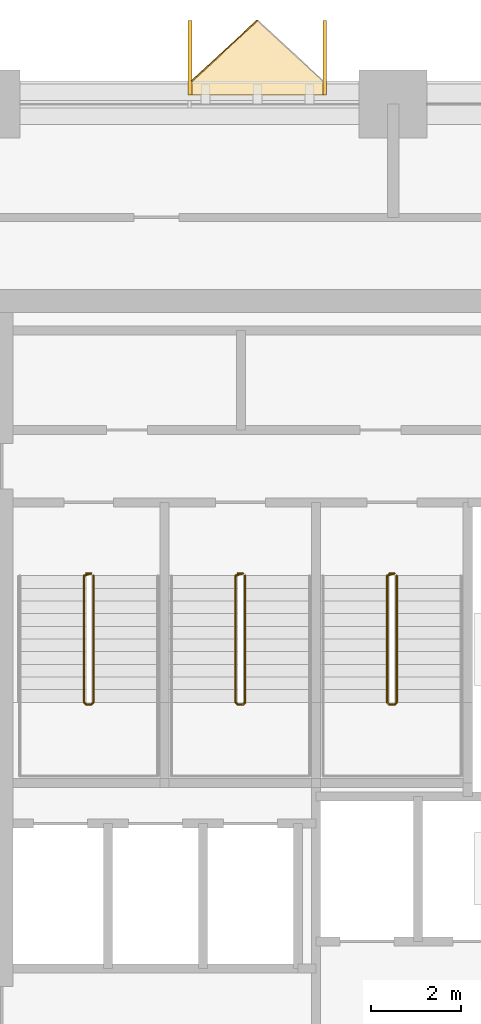
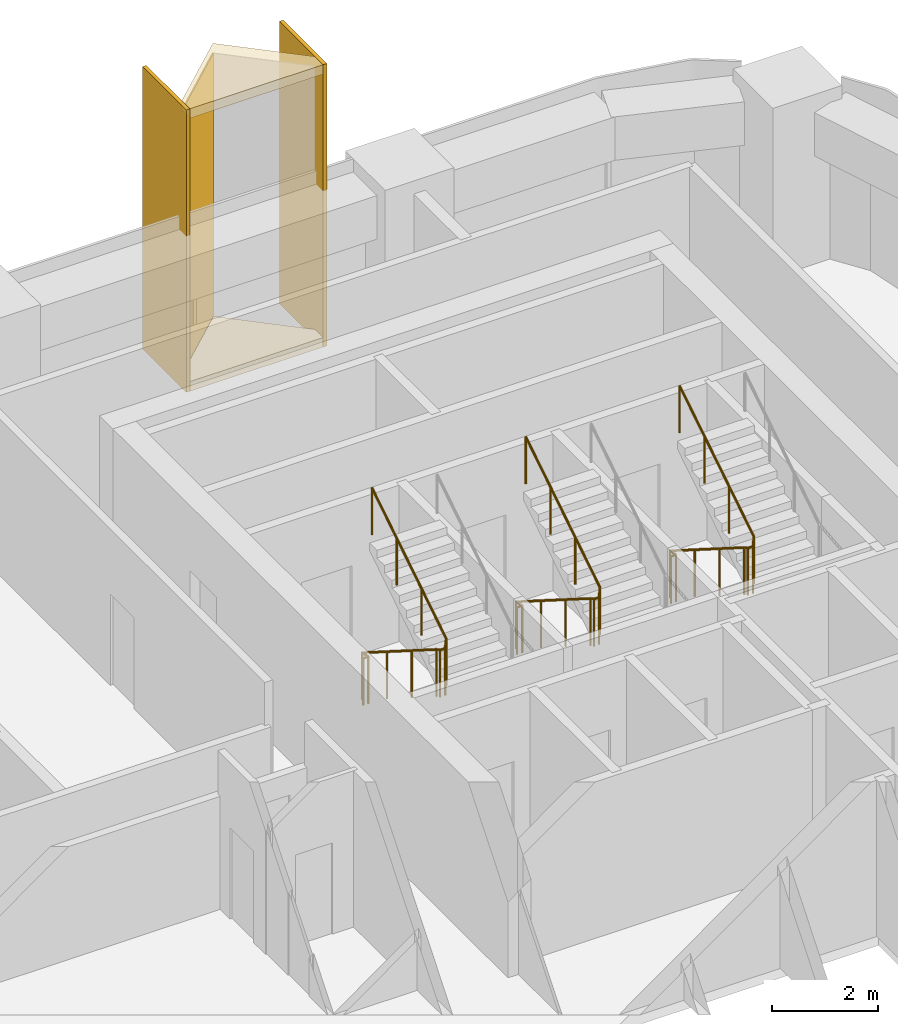
# One storey, part 14 of 14: 5 coverings, 3 railings.
"""IFC4 building model written with IfcOpenShell, lengths in metres."""

from ifc_helpers import new_model, si_unit, direction, frame, origin, origin_2d, place, context, subcontext, project, spatial, polyline, rectangle, circle, outline, extrude, material, layer, layer_set, type_object, element, save


model = new_model("IFC4")

# Units and contexts
model_context = context("Model", 3, precision=1e-05, world=origin(), true_north=direction((0.0, 1.0)))
body_context = subcontext(model_context, "Body", "Model", "MODEL_VIEW")
ifc_project = project(units=[si_unit("LENGTHUNIT", "METRE"), si_unit("AREAUNIT", "SQUARE_METRE"), si_unit("VOLUMEUNIT", "CUBIC_METRE"), si_unit("PLANEANGLEUNIT", "RADIAN"), si_unit("MASSUNIT", "GRAM", prefix="KILO")], contexts=[model_context])

# Site, building, storey
site_placement = place(None, origin())
site = spatial("IfcSite", under=ifc_project, at=site_placement, CompositionType="ELEMENT")
building_placement = place(site_placement, origin())
building = spatial("IfcBuilding", under=site, at=building_placement, Name="Tessera Arch", CompositionType="ELEMENT")
storey_placement = place(building_placement, frame((0.0, 0.0, 142.699951171875)))
storey = spatial("IfcBuildingStorey", under=building, at=storey_placement, Name="L33", CompositionType="ELEMENT", Elevation=142.699951171875)

# Railings
ifc_material_1 = material(Name="Painted steel balustrade", Category="steel")
railing_type = type_object("IfcRailingType", Name="Stair guard 1100", PredefinedType="GUARDRAIL", material=ifc_material_1)
railing_1_placement = place(storey_placement, frame((38.219970703125, 43.6298828125, 0.0)))
element("IfcRailing", 1, at=railing_1_placement, inside=storey, type_object=railing_type, Name="L33 S1a stair guard 1", PredefinedType="GUARDRAIL", context=body_context, shape_type="SweptSolid", body=[
    extrude(circle(Radius=0.02392578125, at=origin_2d()), frame((-0.00390625, 0.0, 1.076171875), z_axis=(1.0, 0.0, 0.0), x_axis=(0.0, 1.0, 0.0)), (0.0, 0.0, 1.0), 0.1181640625),
    extrude(circle(Radius=0.02392578125, at=origin_2d()), frame((0.11279296875, 0.000732421875, 1.0732421875), z_axis=(-0.656319048605, -0.204099216335, 0.726353093426), x_axis=(0.296948579431, -0.954893471113, 0.0)), (0.0, 0.0, 1.0), 0.251953125),
    extrude(circle(Radius=0.02392578125, at=origin_2d()), frame((-0.050048828125, -0.04638671875, 1.251220703125), z_axis=(0.0, -0.844908973607, 0.534910110503), x_axis=(1.0, 0.0, 0.0)), (0.0, 0.0, 1.0), 3.322021484375),
    extrude(circle(Radius=0.02392578125, at=origin_2d()), frame((-0.052978515625, -2.846923828125, 3.02587890625), z_axis=(0.707106781187, -0.707106781187, 0.0), x_axis=(0.707106781187, 0.707106781187, 0.0)), (0.0, 0.0, 1.0), 0.078857421875),
    extrude(circle(Radius=0.02392578125, at=origin_2d()), frame((-0.00390625, -2.89990234375, 3.02587890625), z_axis=(1.0, 0.0, 0.0), x_axis=(0.0, 1.0, 0.0)), (0.0, 0.0, 1.0), 0.1181640625),
    extrude(circle(Radius=0.02392578125, at=origin_2d()), frame((0.109130859375, -2.90087890625, 3.022216796875), z_axis=(0.260731885961, 0.262009983441, 0.929176868105), x_axis=(-0.708833529934, 0.705375805398, 0.0)), (0.0, 0.0, 1.0), 0.198974609375),
    extrude(circle(Radius=0.02392578125, at=origin_2d()), frame((0.159912109375, -2.853271484375, 3.201416015625), z_axis=(0.0, 0.844908973607, 0.534910110503), x_axis=(-1.0, 0.0, 0.0)), (0.0, 0.0, 1.0), 3.322021484375),
    extrude(circle(Radius=0.02099609375, at=origin_2d()), origin(), (0.0, 0.0, 1.0), 1.06396484375),
    extrude(circle(Radius=0.02099609375, at=origin_2d()), frame((0.110107421875, 0.0, 0.0)), (0.0, 0.0, 1.0), 1.06396484375),
    extrude(circle(Radius=0.02099609375, at=origin_2d()), frame((-0.050048828125, -0.0498046875, 0.17724609375)), (0.0, 0.0, 1.0), 1.06396484375),
    extrude(circle(Radius=0.02099609375, at=origin_2d()), frame((-0.050048828125, -0.983154296875, 0.76806640625)), (0.0, 0.0, 1.0), 1.06396484375),
    extrude(circle(Radius=0.02099609375, at=origin_2d()), frame((-0.050048828125, -1.91650390625, 1.359130859375)), (0.0, 0.0, 1.0), 1.06396484375),
    extrude(circle(Radius=0.02099609375, at=origin_2d()), frame((-0.050048828125, -2.849853515625, 1.949951171875)), (0.0, 0.0, 1.0), 1.06396484375),
    extrude(circle(Radius=0.02099609375, at=origin_2d()), frame((0.0, -2.89990234375, 1.949951171875)), (0.0, 0.0, 1.0), 1.06396484375),
    extrude(circle(Radius=0.02099609375, at=origin_2d()), frame((0.110107421875, -2.89990234375, 1.949951171875)), (0.0, 0.0, 1.0), 1.06396484375),
    extrude(circle(Radius=0.02099609375, at=origin_2d()), frame((0.159912109375, -2.849853515625, 2.12744140625)), (0.0, 0.0, 1.0), 1.06396484375),
    extrude(circle(Radius=0.02099609375, at=origin_2d()), frame((0.159912109375, -1.91650390625, 2.71826171875)), (0.0, 0.0, 1.0), 1.06396484375),
    extrude(circle(Radius=0.02099609375, at=origin_2d()), frame((0.159912109375, -0.983154296875, 3.309326171875)), (0.0, 0.0, 1.0), 1.06396484375),
    extrude(circle(Radius=0.02099609375, at=origin_2d()), frame((0.159912109375, -0.0498046875, 3.900146484375)), (0.0, 0.0, 1.0), 1.06396484375),
])
railing_2_placement = place(storey_placement, frame((41.570068359375, 43.6298828125, 0.0)))
element("IfcRailing", 2, at=railing_2_placement, inside=storey, type_object=railing_type, Name="L33 S1b stair guard 1", PredefinedType="GUARDRAIL", context=body_context, shape_type="SweptSolid", body=[
    extrude(circle(Radius=0.02392578125, at=origin_2d()), frame((-0.00390625, 0.0, 1.076171875), z_axis=(1.0, 0.0, 0.0), x_axis=(0.0, 1.0, 0.0)), (0.0, 0.0, 1.0), 0.117919921875),
    extrude(circle(Radius=0.02392578125, at=origin_2d()), frame((0.112548828125, 0.000732421875, 1.0732421875), z_axis=(-0.65574896516, -0.204233265485, 0.726830150696), x_axis=(0.297361876254, -0.954764847777, 0.0)), (0.0, 0.0, 1.0), 0.251953125),
    extrude(circle(Radius=0.02392578125, at=origin_2d()), frame((-0.050048828125, -0.04638671875, 1.251220703125), z_axis=(0.0, -0.844908973607, 0.534910110503), x_axis=(1.0, 0.0, 0.0)), (0.0, 0.0, 1.0), 3.322021484375),
    extrude(circle(Radius=0.02392578125, at=origin_2d()), frame((-0.052978515625, -2.846923828125, 3.02587890625), z_axis=(0.707106781187, -0.707106781187, 0.0), x_axis=(0.707106781187, 0.707106781187, 0.0)), (0.0, 0.0, 1.0), 0.078857421875),
    extrude(circle(Radius=0.02392578125, at=origin_2d()), frame((-0.00390625, -2.89990234375, 3.02587890625), z_axis=(1.0, 0.0, 0.0), x_axis=(0.0, 1.0, 0.0)), (0.0, 0.0, 1.0), 0.117919921875),
    extrude(circle(Radius=0.02392578125, at=origin_2d()), frame((0.10888671875, -2.90087890625, 3.022216796875), z_axis=(0.261922500866, 0.261922500866, 0.928866625022), x_axis=(-0.707106781187, 0.707106781187, 0.0)), (0.0, 0.0, 1.0), 0.198974609375),
    extrude(circle(Radius=0.02392578125, at=origin_2d()), frame((0.159912109375, -2.853271484375, 3.201416015625), z_axis=(0.0, 0.844908973607, 0.534910110503), x_axis=(-1.0, 0.0, 0.0)), (0.0, 0.0, 1.0), 3.322021484375),
    extrude(circle(Radius=0.02099609375, at=origin_2d()), origin(), (0.0, 0.0, 1.0), 1.06396484375),
    extrude(circle(Radius=0.02099609375, at=origin_2d()), frame((0.10986328125, 0.0, 0.0)), (0.0, 0.0, 1.0), 1.06396484375),
    extrude(circle(Radius=0.02099609375, at=origin_2d()), frame((-0.050048828125, -0.0498046875, 0.17724609375)), (0.0, 0.0, 1.0), 1.06396484375),
    extrude(circle(Radius=0.02099609375, at=origin_2d()), frame((-0.050048828125, -0.983154296875, 0.76806640625)), (0.0, 0.0, 1.0), 1.06396484375),
    extrude(circle(Radius=0.02099609375, at=origin_2d()), frame((-0.050048828125, -1.91650390625, 1.359130859375)), (0.0, 0.0, 1.0), 1.06396484375),
    extrude(circle(Radius=0.02099609375, at=origin_2d()), frame((-0.050048828125, -2.849853515625, 1.949951171875)), (0.0, 0.0, 1.0), 1.06396484375),
    extrude(circle(Radius=0.02099609375, at=origin_2d()), frame((0.0, -2.89990234375, 1.949951171875)), (0.0, 0.0, 1.0), 1.06396484375),
    extrude(circle(Radius=0.02099609375, at=origin_2d()), frame((0.10986328125, -2.89990234375, 1.949951171875)), (0.0, 0.0, 1.0), 1.06396484375),
    extrude(circle(Radius=0.02099609375, at=origin_2d()), frame((0.159912109375, -2.849853515625, 2.12744140625)), (0.0, 0.0, 1.0), 1.06396484375),
    extrude(circle(Radius=0.02099609375, at=origin_2d()), frame((0.159912109375, -1.91650390625, 2.71826171875)), (0.0, 0.0, 1.0), 1.06396484375),
    extrude(circle(Radius=0.02099609375, at=origin_2d()), frame((0.159912109375, -0.983154296875, 3.309326171875)), (0.0, 0.0, 1.0), 1.06396484375),
    extrude(circle(Radius=0.02099609375, at=origin_2d()), frame((0.159912109375, -0.0498046875, 3.900146484375)), (0.0, 0.0, 1.0), 1.06396484375),
])
railing_3_placement = place(storey_placement, frame((44.919921875, 43.6298828125, 0.0)))
element("IfcRailing", 3, at=railing_3_placement, inside=storey, type_object=railing_type, Name="L33 S1c stair guard 1", PredefinedType="GUARDRAIL", context=body_context, shape_type="SweptSolid", body=[
    extrude(circle(Radius=0.02392578125, at=origin_2d()), frame((-0.00390625, 0.0, 1.076171875), z_axis=(1.0, 0.0, 0.0), x_axis=(0.0, 1.0, 0.0)), (0.0, 0.0, 1.0), 0.1181640625),
    extrude(circle(Radius=0.02392578125, at=origin_2d()), frame((0.11279296875, 0.000732421875, 1.0732421875), z_axis=(-0.65574896516, -0.204233265485, 0.726830150696), x_axis=(0.297361876254, -0.954764847777, 0.0)), (0.0, 0.0, 1.0), 0.251953125),
    extrude(circle(Radius=0.02392578125, at=origin_2d()), frame((-0.0498046875, -0.04638671875, 1.251220703125), z_axis=(0.0, -0.844908973607, 0.534910110503), x_axis=(1.0, 0.0, 0.0)), (0.0, 0.0, 1.0), 3.322021484375),
    extrude(circle(Radius=0.02392578125, at=origin_2d()), frame((-0.052734375, -2.846923828125, 3.02587890625), z_axis=(0.705375805398, -0.708833529934, 0.0), x_axis=(0.708833529934, 0.705375805398, 0.0)), (0.0, 0.0, 1.0), 0.07861328125),
    extrude(circle(Radius=0.02392578125, at=origin_2d()), frame((-0.00390625, -2.89990234375, 3.02587890625), z_axis=(1.0, 0.0, 0.0), x_axis=(0.0, 1.0, 0.0)), (0.0, 0.0, 1.0), 0.1181640625),
    extrude(circle(Radius=0.02392578125, at=origin_2d()), frame((0.109130859375, -2.90087890625, 3.022216796875), z_axis=(0.261922500866, 0.261922500866, 0.928866625022), x_axis=(-0.707106781187, 0.707106781187, 0.0)), (0.0, 0.0, 1.0), 0.198974609375),
    extrude(circle(Radius=0.02392578125, at=origin_2d()), frame((0.16015625, -2.853271484375, 3.201416015625), z_axis=(0.0, 0.844908973607, 0.534910110503), x_axis=(-1.0, 0.0, 0.0)), (0.0, 0.0, 1.0), 3.322021484375),
    extrude(circle(Radius=0.02099609375, at=origin_2d()), origin(), (0.0, 0.0, 1.0), 1.06396484375),
    extrude(circle(Radius=0.02099609375, at=origin_2d()), frame((0.110107421875, 0.0, 0.0)), (0.0, 0.0, 1.0), 1.06396484375),
    extrude(circle(Radius=0.02099609375, at=origin_2d()), frame((-0.0498046875, -0.0498046875, 0.17724609375)), (0.0, 0.0, 1.0), 1.06396484375),
    extrude(circle(Radius=0.02099609375, at=origin_2d()), frame((-0.0498046875, -0.983154296875, 0.76806640625)), (0.0, 0.0, 1.0), 1.06396484375),
    extrude(circle(Radius=0.02099609375, at=origin_2d()), frame((-0.0498046875, -1.91650390625, 1.359130859375)), (0.0, 0.0, 1.0), 1.06396484375),
    extrude(circle(Radius=0.02099609375, at=origin_2d()), frame((-0.0498046875, -2.849853515625, 1.949951171875)), (0.0, 0.0, 1.0), 1.06396484375),
    extrude(circle(Radius=0.02099609375, at=origin_2d()), frame((0.0, -2.89990234375, 1.949951171875)), (0.0, 0.0, 1.0), 1.06396484375),
    extrude(circle(Radius=0.02099609375, at=origin_2d()), frame((0.110107421875, -2.89990234375, 1.949951171875)), (0.0, 0.0, 1.0), 1.06396484375),
    extrude(circle(Radius=0.02099609375, at=origin_2d()), frame((0.16015625, -2.849853515625, 2.12744140625)), (0.0, 0.0, 1.0), 1.06396484375),
    extrude(circle(Radius=0.02099609375, at=origin_2d()), frame((0.16015625, -1.91650390625, 2.71826171875)), (0.0, 0.0, 1.0), 1.06396484375),
    extrude(circle(Radius=0.02099609375, at=origin_2d()), frame((0.16015625, -0.983154296875, 3.309326171875)), (0.0, 0.0, 1.0), 1.06396484375),
    extrude(circle(Radius=0.02099609375, at=origin_2d()), frame((0.16015625, -0.0498046875, 3.900146484375)), (0.0, 0.0, 1.0), 1.06396484375),
])

# Coverings
ifc_material_2 = material(Name="Anodised aluminium pale metal", Category="aluminium")
ifc_layer_1 = layer(ifc_material_2, 0.080078125)
ifc_layer_set_1 = layer_set([ifc_layer_1], Name="Window box cheek")
covering_type_1 = type_object("IfcCoveringType", Name="Window box cheek", PredefinedType="CLADDING", material=ifc_layer_set_1)
covering_1_placement = place(storey_placement, origin())
element("IfcCovering", 4, at=covering_1_placement, inside=storey, type_object=covering_type_1, Name="Window box N54.0/1.0 1x2 cheek", PredefinedType="CLADDING", context=body_context, shape_type="SweptSolid", body=[
    extrude(outline(polyline([(43.530029296875, 55.85009765625), (43.449951171875, 55.85009765625), (43.449951171875, 54.199951171875), (43.530029296875, 54.199951171875), (43.530029296875, 55.85009765625)])), origin(), (0.0, 0.0, 1.0), 6.5),
])
covering_2_placement = place(storey_placement, origin())
element("IfcCovering", 5, at=covering_2_placement, inside=storey, type_object=covering_type_1, Name="Window box N54.0/1.0 1x2 cheek", PredefinedType="CLADDING", context=body_context, shape_type="SweptSolid", body=[
    extrude(outline(polyline([(40.550048828125, 55.85009765625), (40.469970703125, 55.85009765625), (40.469970703125, 54.199951171875), (40.550048828125, 54.199951171875), (40.550048828125, 55.85009765625)])), origin(), (0.0, 0.0, 1.0), 6.5),
])
ifc_material_3 = material(Name="Anodised aluminium gold", Category="aluminium")
ifc_layer_2 = layer(ifc_material_3, 0.219970703125)
ifc_layer_set_2 = layer_set([ifc_layer_2], Name="Window box frame plate gold")
covering_type_2 = type_object("IfcCoveringType", Name="Window box frame plate gold", PredefinedType="CLADDING", material=ifc_layer_set_2)
for number, where, name in (
    (6, (0.0, 0.0, 0.0), "Window box N54.0/1.0 1x2 floor"),
    (7, (0.0, 0.0, 6.280029296875), "Window box N54.0/1.0 1x2 roof"),
):
    element("IfcCovering", number, at=place(storey_placement, frame(where)), inside=storey, type_object=covering_type_2, Name=name, PredefinedType="CLADDING", context=body_context, shape_type="SweptSolid", body=[
        extrude(outline(polyline([(43.449951171875, 54.510009765625), (42.0, 55.85009765625), (40.550048828125, 54.510009765625), (40.550048828125, 54.199951171875), (43.449951171875, 54.199951171875), (43.449951171875, 54.510009765625)])), origin(), (0.0, 0.0, 1.0), 0.219970703125),
    ])
ifc_material_4 = material(Name="Anodised aluminium pale metal", Category="aluminium")
ifc_layer_3 = layer(ifc_material_4, 0.028076171875)
ifc_layer_set_3 = layer_set([ifc_layer_3], Name="Window box side panel")
covering_type_3 = type_object("IfcCoveringType", Name="Window box side panel", PredefinedType="CLADDING", material=ifc_layer_set_3)
covering_3_placement = place(storey_placement, frame((41.27490234375, 55.179931640625, 0.219970703125), z_axis=(0.0, 0.0, 1.0), x_axis=(0.734414958885, 0.678700720617, 0.0)))
element("IfcCovering", 8, at=covering_3_placement, inside=storey, type_object=covering_type_3, Name="Window box N54.0/1.0 1x2 side panel", PredefinedType="CLADDING", context=body_context, shape_type="SweptSolid", body=[
    extrude(rectangle(XDim=1.974365234375, YDim=0.028076171875, at=origin_2d()), origin(), (0.0, 0.0, 1.0), 6.06005859375),
])

save(model, "model.ifc")
